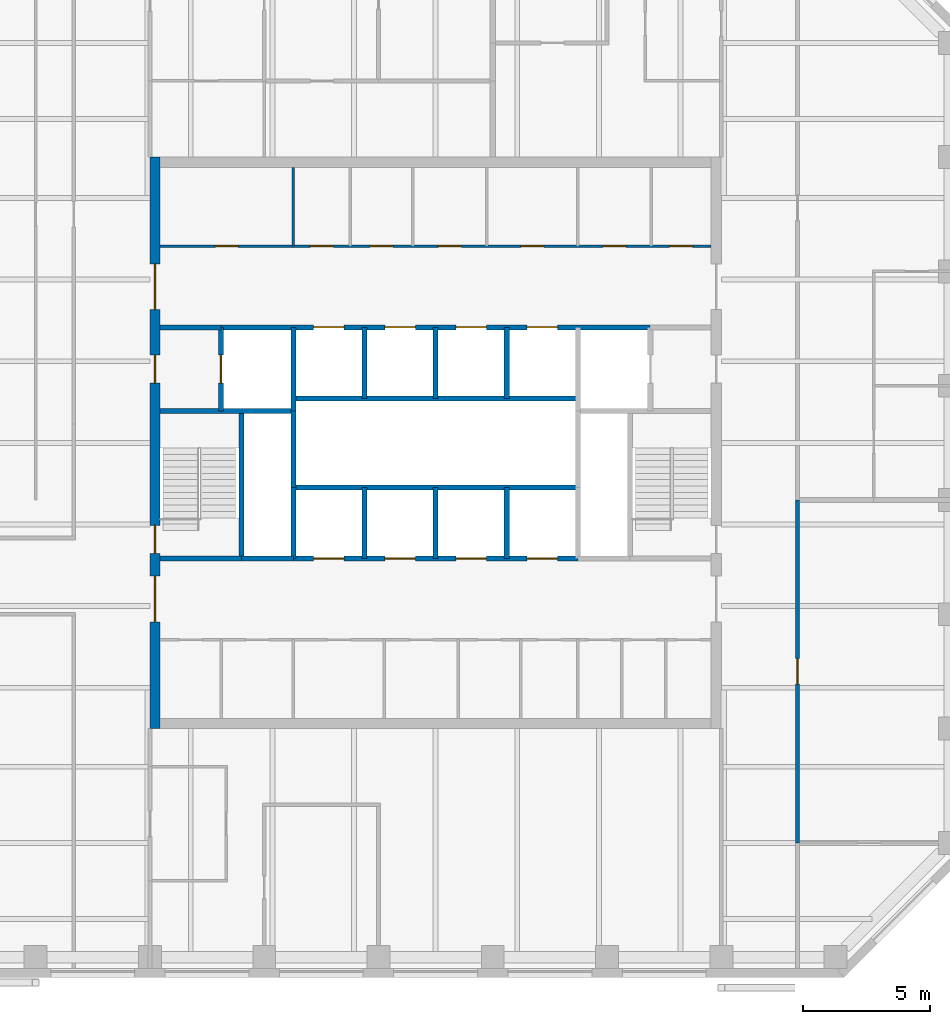
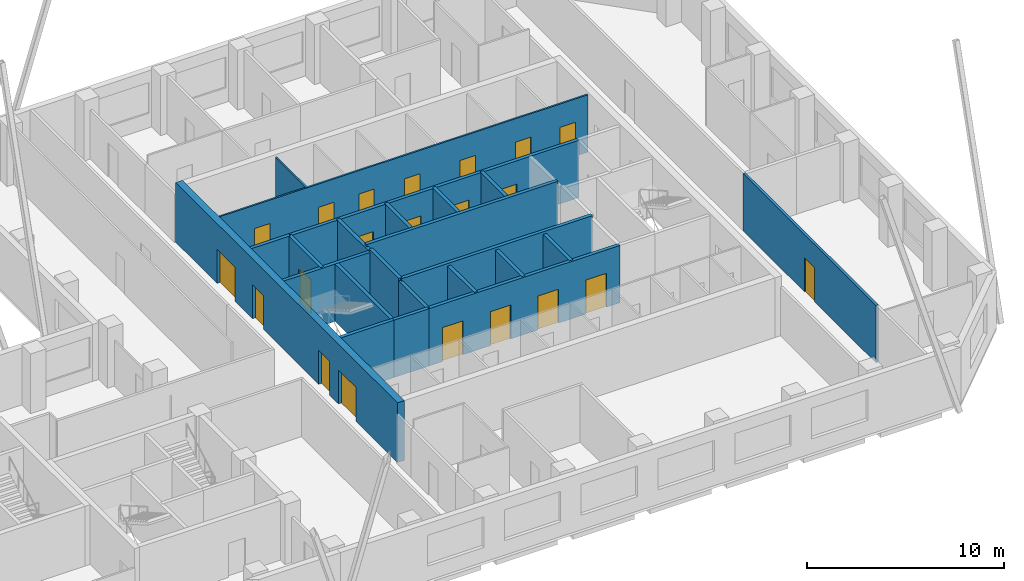
# One storey, part 5 of 9: 23 walls, 21 doors, 21 openings.
"""IFC4 building model written with IfcOpenShell, lengths in metres."""

from ifc_helpers import new_model, si_unit, direction, frame, frame_2d, origin, place, context, subcontext, project, spatial, rectangle, extrude, material, layer, layer_set, type_object, element, fill, save


model = new_model("IFC4")

# Units and contexts
model_context = context("Model", 3, precision=1e-05, world=origin(), true_north=direction((0.0, 1.0)))
body_context = subcontext(model_context, "Body", "Model", "MODEL_VIEW")
ifc_project = project(units=[si_unit("LENGTHUNIT", "METRE"), si_unit("AREAUNIT", "SQUARE_METRE"), si_unit("VOLUMEUNIT", "CUBIC_METRE"), si_unit("PLANEANGLEUNIT", "RADIAN"), si_unit("MASSUNIT", "GRAM", prefix="KILO")], contexts=[model_context])

# Site, building, storey
site_placement = place(None, origin())
site = spatial("IfcSite", under=ifc_project, at=site_placement, CompositionType="ELEMENT")
building_placement = place(site_placement, origin())
building = spatial("IfcBuilding", under=site, at=building_placement, Name="Quoin Convention Tower", CompositionType="ELEMENT")
storey_placement = place(building_placement, frame((0.0, 0.0, 158.800048828125)))
storey = spatial("IfcBuildingStorey", under=building, at=storey_placement, Name="L41", CompositionType="ELEMENT", Elevation=158.800048828125)

# Wall, openings, doors
ifc_material_1 = material(Name="Plasterboard")
ifc_layer_1 = layer(ifc_material_1, 0.012451171875, Name="Finish")
ifc_material_2 = material(Name="Steel stud framing", Category="steel")
ifc_layer_2 = layer(ifc_material_2, 0.074951171875, Name="Structure")
ifc_layer_3 = layer(ifc_material_1, 0.012451171875, Name="Finish")
ifc_layer_set_1 = layer_set([ifc_layer_1, ifc_layer_2, ifc_layer_3], Name="Steel stud framing")
wall_type_1 = type_object("IfcWallType", Name="Core partition wall", PredefinedType="PARTITIONING", material=ifc_layer_set_1)
wall_1_placement = place(storey_placement, frame((45.39990234375, 68.5, 0.0), z_axis=(0.0, 0.0, 1.0), x_axis=(1.0, 0.0, 0.0)))
wall_1 = element("IfcWall", 1, at=wall_1_placement, inside=storey, type_object=wall_type_1, Name="cr-C1-L41-h19000_400", PredefinedType="PARTITIONING", context=body_context, shape_type="SweptSolid", body=[
    extrude(rectangle(XDim=21.7001953125, YDim=0.10009765625, at=frame_2d((10.85009765625, 0.0))), origin(), (0.0, 0.0, 1.0), 3.550048828125),
])
opening_1_placement = place(wall_1_placement, frame((20.06884765625, 0.0, 0.0)))
opening_1 = element("IfcOpeningElement", 2, at=opening_1_placement, cuts=wall_1, Name="Opening DCV2-13", PredefinedType="OPENING", context=body_context, shape_type="SweptSolid", body=[
    extrude(rectangle(XDim=0.89990234375, YDim=2.10009765625, at=frame_2d((0.449951171875, 1.050048828125))), frame((0.0, 0.06005859375, 0.0), z_axis=(0.0, -1.0, 0.0), x_axis=(1.0, 0.0, 0.0)), (0.0, 0.0, 1.0), 0.1201171875),
])
opening_2_placement = place(wall_1_placement, frame((17.44384765625, 0.0, 0.0)))
opening_2 = element("IfcOpeningElement", 3, at=opening_2_placement, cuts=wall_1, Name="Opening DCV2-12", PredefinedType="OPENING", context=body_context, shape_type="SweptSolid", body=[
    extrude(rectangle(XDim=0.89990234375, YDim=2.10009765625, at=frame_2d((0.449951171875, 1.050048828125))), frame((0.0, 0.06005859375, 0.0), z_axis=(0.0, -1.0, 0.0), x_axis=(1.0, 0.0, 0.0)), (0.0, 0.0, 1.0), 0.1201171875),
])
opening_3_placement = place(wall_1_placement, frame((2.175048828125, 0.0, 0.0)))
opening_3 = element("IfcOpeningElement", 4, at=opening_3_placement, cuts=wall_1, Name="Opening DCV2-05", PredefinedType="OPENING", context=body_context, shape_type="SweptSolid", body=[
    extrude(rectangle(XDim=0.89990234375, YDim=2.10009765625, at=frame_2d((0.449951171875, 1.050048828125))), frame((0.0, 0.06005859375, 0.0), z_axis=(0.0, -1.0, 0.0), x_axis=(1.0, 0.0, 0.0)), (0.0, 0.0, 1.0), 0.1201171875),
])
opening_4_placement = place(wall_1_placement, frame((14.2080078125, 0.0, 0.0)))
opening_4 = element("IfcOpeningElement", 5, at=opening_4_placement, cuts=wall_1, Name="Opening DCV2-11", PredefinedType="OPENING", context=body_context, shape_type="SweptSolid", body=[
    extrude(rectangle(XDim=0.89990234375, YDim=2.10009765625, at=frame_2d((0.449951171875, 1.050048828125))), frame((0.0, 0.06005859375, 0.0), z_axis=(0.0, -1.0, 0.0), x_axis=(1.0, 0.0, 0.0)), (0.0, 0.0, 1.0), 0.1201171875),
])
opening_5_placement = place(wall_1_placement, frame((10.9599609375, 0.0, 0.0)))
opening_5 = element("IfcOpeningElement", 6, at=opening_5_placement, cuts=wall_1, Name="Opening DCV2-09", PredefinedType="OPENING", context=body_context, shape_type="SweptSolid", body=[
    extrude(rectangle(XDim=0.89990234375, YDim=2.10009765625, at=frame_2d((0.449951171875, 1.050048828125))), frame((0.0, 0.06005859375, 0.0), z_axis=(0.0, -1.0, 0.0), x_axis=(1.0, 0.0, 0.0)), (0.0, 0.0, 1.0), 0.1201171875),
])
opening_6_placement = place(wall_1_placement, frame((8.27197265625, 0.0, 0.0)))
opening_6 = element("IfcOpeningElement", 7, at=opening_6_placement, cuts=wall_1, Name="Opening DCV2-08", PredefinedType="OPENING", context=body_context, shape_type="SweptSolid", body=[
    extrude(rectangle(XDim=0.89990234375, YDim=2.10009765625, at=frame_2d((0.449951171875, 1.050048828125))), frame((0.0, 0.06005859375, 0.0), z_axis=(0.0, -1.0, 0.0), x_axis=(1.0, 0.0, 0.0)), (0.0, 0.0, 1.0), 0.1201171875),
])
opening_7_placement = place(wall_1_placement, frame((5.919921875, 0.0, 0.0)))
opening_7 = element("IfcOpeningElement", 8, at=opening_7_placement, cuts=wall_1, Name="Opening DCV2-06", PredefinedType="OPENING", context=body_context, shape_type="SweptSolid", body=[
    extrude(rectangle(XDim=0.89990234375, YDim=2.10009765625, at=frame_2d((0.449951171875, 1.050048828125))), frame((0.0, 0.06005859375, 0.0), z_axis=(0.0, -1.0, 0.0), x_axis=(1.0, 0.0, 0.0)), (0.0, 0.0, 1.0), 0.1201171875),
])
ifc_material_3 = material(Name="Steel door leaf", Category="steel")
door_type_1 = type_object("IfcDoorType", Name="Core room door 900 x 2100", OperationType="SINGLE_SWING_LEFT", PredefinedType="DOOR", material=ifc_material_3)
door_1_placement = place(opening_1_placement, origin())
door_1 = element("IfcDoor", 9, at=door_1_placement, inside=storey, type_object=door_type_1, Name="cd-C1-L41-CNE0-lobB-CD4107", OperationType="SINGLE_SWING_RIGHT", OverallHeight=2.10009765625, OverallWidth=0.89990234375, PredefinedType="DOOR", context=body_context, shape_type="SweptSolid", body=[
    extrude(rectangle(XDim=0.89990234375, YDim=2.10009765625, at=frame_2d((0.449951171875, 1.050048828125))), frame((0.0, 0.02490234375, 0.0), z_axis=(0.0, -1.0, 0.0), x_axis=(1.0, 0.0, 0.0)), (0.0, 0.0, 1.0), 0.050048828125),
])
fill(opening_1, door_1)
door_2_placement = place(opening_2_placement, origin())
door_2 = element("IfcDoor", 10, at=door_2_placement, inside=storey, type_object=door_type_1, Name="cd-C1-L41-CNE1-lobB-CD4108", OperationType="SINGLE_SWING_RIGHT", OverallHeight=2.10009765625, OverallWidth=0.89990234375, PredefinedType="DOOR", context=body_context, shape_type="SweptSolid", body=[
    extrude(rectangle(XDim=0.89990234375, YDim=2.10009765625, at=frame_2d((0.449951171875, 1.050048828125))), frame((0.0, 0.02490234375, 0.0), z_axis=(0.0, -1.0, 0.0), x_axis=(1.0, 0.0, 0.0)), (0.0, 0.0, 1.0), 0.050048828125),
])
fill(opening_2, door_2)
door_3_placement = place(opening_3_placement, origin())
door_3 = element("IfcDoor", 11, at=door_3_placement, inside=storey, type_object=door_type_1, Name="cd-C1-L41-CNW0-lobB-CD4109", OperationType="SINGLE_SWING_RIGHT", OverallHeight=2.10009765625, OverallWidth=0.89990234375, PredefinedType="DOOR", context=body_context, shape_type="SweptSolid", body=[
    extrude(rectangle(XDim=0.89990234375, YDim=2.10009765625, at=frame_2d((0.449951171875, 1.050048828125))), frame((0.0, 0.02490234375, 0.0), z_axis=(0.0, -1.0, 0.0), x_axis=(1.0, 0.0, 0.0)), (0.0, 0.0, 1.0), 0.050048828125),
])
fill(opening_3, door_3)
door_4_placement = place(opening_4_placement, origin())
door_4 = element("IfcDoor", 12, at=door_4_placement, inside=storey, type_object=door_type_1, Name="cd-C1-L41-F40-lobB-CD4119", OperationType="SINGLE_SWING_RIGHT", OverallHeight=2.10009765625, OverallWidth=0.89990234375, PredefinedType="DOOR", context=body_context, shape_type="SweptSolid", body=[
    extrude(rectangle(XDim=0.89990234375, YDim=2.10009765625, at=frame_2d((0.449951171875, 1.050048828125))), frame((0.0, 0.02490234375, 0.0), z_axis=(0.0, -1.0, 0.0), x_axis=(1.0, 0.0, 0.0)), (0.0, 0.0, 1.0), 0.050048828125),
])
fill(opening_4, door_4)
door_5_placement = place(opening_5_placement, origin())
door_5 = element("IfcDoor", 13, at=door_5_placement, inside=storey, type_object=door_type_1, Name="cd-C1-L41-F41-lobB-CD4120", OperationType="SINGLE_SWING_RIGHT", OverallHeight=2.10009765625, OverallWidth=0.89990234375, PredefinedType="DOOR", context=body_context, shape_type="SweptSolid", body=[
    extrude(rectangle(XDim=0.89990234375, YDim=2.10009765625, at=frame_2d((0.449951171875, 1.050048828125))), frame((0.0, 0.02490234375, 0.0), z_axis=(0.0, -1.0, 0.0), x_axis=(1.0, 0.0, 0.0)), (0.0, 0.0, 1.0), 0.050048828125),
])
fill(opening_5, door_5)
door_6_placement = place(opening_6_placement, origin())
door_6 = element("IfcDoor", 14, at=door_6_placement, inside=storey, type_object=door_type_1, Name="cd-C1-L41-F42-lobB-CD4121", OperationType="SINGLE_SWING_RIGHT", OverallHeight=2.10009765625, OverallWidth=0.89990234375, PredefinedType="DOOR", context=body_context, shape_type="SweptSolid", body=[
    extrude(rectangle(XDim=0.89990234375, YDim=2.10009765625, at=frame_2d((0.449951171875, 1.050048828125))), frame((0.0, 0.02490234375, 0.0), z_axis=(0.0, -1.0, 0.0), x_axis=(1.0, 0.0, 0.0)), (0.0, 0.0, 1.0), 0.050048828125),
])
fill(opening_6, door_6)
door_7_placement = place(opening_7_placement, origin())
door_7 = element("IfcDoor", 15, at=door_7_placement, inside=storey, type_object=door_type_1, Name="cd-C1-L41-F43-lobB-CD4122", OperationType="SINGLE_SWING_RIGHT", OverallHeight=2.10009765625, OverallWidth=0.89990234375, PredefinedType="DOOR", context=body_context, shape_type="SweptSolid", body=[
    extrude(rectangle(XDim=0.89990234375, YDim=2.10009765625, at=frame_2d((0.449951171875, 1.050048828125))), frame((0.0, 0.02490234375, 0.0), z_axis=(0.0, -1.0, 0.0), x_axis=(1.0, 0.0, 0.0)), (0.0, 0.0, 1.0), 0.050048828125),
])
fill(opening_7, door_7)

# Walls
wall_2_placement = place(storey_placement, frame((50.64990234375, 68.5, 0.0), z_axis=(0.0, 0.0, 1.0), x_axis=(0.0, 1.0, 0.0)))
element("IfcWall", 16, at=wall_2_placement, inside=storey, type_object=wall_type_1, Name="cr-C1-L41-v5650_19000", PredefinedType="PARTITIONING", context=body_context, shape_type="SweptSolid", body=[
    extrude(rectangle(XDim=3.10009765625, YDim=0.10009765625, at=frame_2d((1.550048828125, 0.0))), origin(), (0.0, 0.0, 1.0), 3.550048828125),
])
ifc_material_4 = material(Name="Concrete C50", Category="concrete")
ifc_layer_4 = layer(ifc_material_4, 0.199951171875)
ifc_layer_set_2 = layer_set([ifc_layer_4], Name="Concrete C50")
wall_type_2 = type_object("IfcWallType", Name="Core shaft wall", PredefinedType="SOLIDWALL", material=ifc_layer_set_2)
wall_3_placement = place(storey_placement, frame((48.60009765625, 56.199951171875, 0.0), z_axis=(0.0, 0.0, 1.0), x_axis=(1.0, 0.0, 0.0)))
element("IfcWall", 17, at=wall_3_placement, inside=storey, type_object=wall_type_2, Name="cr-C1-L41-h6700_3600", PredefinedType="SOLIDWALL", context=body_context, shape_type="SweptSolid", body=[
    extrude(rectangle(XDim=2.0498046875, YDim=0.199951171875, at=frame_2d((1.02490234375, 0.0))), origin(), (0.0, 0.0, 1.0), 3.550048828125),
])
wall_4_placement = place(storey_placement, frame((45.39990234375, 56.199951171875, 0.0), z_axis=(0.0, 0.0, 1.0), x_axis=(1.0, 0.0, 0.0)))
element("IfcWall", 18, at=wall_4_placement, inside=storey, type_object=wall_type_2, Name="cr-C1-L41-h6700_400", PredefinedType="SOLIDWALL", context=body_context, shape_type="SweptSolid", body=[
    extrude(rectangle(XDim=3.2001953125, YDim=0.199951171875, at=frame_2d((1.60009765625, 0.0))), origin(), (0.0, 0.0, 1.0), 3.550048828125),
])

# Wall, openings, doors
wall_5_placement = place(storey_placement, frame((50.64990234375, 56.199951171875, 0.0), z_axis=(0.0, 0.0, 1.0), x_axis=(1.0, 0.0, 0.0)))
wall_5 = element("IfcWall", 19, at=wall_5_placement, inside=storey, type_object=wall_type_2, Name="cr-C1-L41-h6700_5650", PredefinedType="SOLIDWALL", context=body_context, shape_type="SweptSolid", body=[
    extrude(rectangle(XDim=11.2001953125, YDim=0.199951171875, at=frame_2d((5.60009765625, 0.0))), origin(), (0.0, 0.0, 1.0), 3.550048828125),
])
opening_8_placement = place(wall_5_placement, frame((0.800048828125, 0.0, 0.0)))
opening_8 = element("IfcOpeningElement", 20, at=opening_8_placement, cuts=wall_5, Name="Opening LDH1", PredefinedType="OPENING", context=body_context, shape_type="SweptSolid", body=[
    extrude(rectangle(XDim=1.199951171875, YDim=2.10009765625, at=frame_2d((0.60009765625, 1.050048828125))), frame((0.0, 0.10986328125, 0.0), z_axis=(0.0, -1.0, 0.0), x_axis=(1.0, 0.0, 0.0)), (0.0, 0.0, 1.0), 0.219970703125),
])
opening_9_placement = place(wall_5_placement, frame((3.60009765625, 0.0, 0.0)))
opening_9 = element("IfcOpeningElement", 21, at=opening_9_placement, cuts=wall_5, Name="Opening LDH2", PredefinedType="OPENING", context=body_context, shape_type="SweptSolid", body=[
    extrude(rectangle(XDim=1.199951171875, YDim=2.10009765625, at=frame_2d((0.60009765625, 1.050048828125))), frame((0.0, 0.10986328125, 0.0), z_axis=(0.0, -1.0, 0.0), x_axis=(1.0, 0.0, 0.0)), (0.0, 0.0, 1.0), 0.219970703125),
])
opening_10_placement = place(wall_5_placement, frame((6.39990234375, 0.0, 0.0)))
opening_10 = element("IfcOpeningElement", 22, at=opening_10_placement, cuts=wall_5, Name="Opening LDH3", PredefinedType="OPENING", context=body_context, shape_type="SweptSolid", body=[
    extrude(rectangle(XDim=1.199951171875, YDim=2.10009765625, at=frame_2d((0.60009765625, 1.050048828125))), frame((0.0, 0.10986328125, 0.0), z_axis=(0.0, -1.0, 0.0), x_axis=(1.0, 0.0, 0.0)), (0.0, 0.0, 1.0), 0.219970703125),
])
opening_11_placement = place(wall_5_placement, frame((9.199951171875, 0.0, 0.0)))
opening_11 = element("IfcOpeningElement", 23, at=opening_11_placement, cuts=wall_5, Name="Opening LDH4", PredefinedType="OPENING", context=body_context, shape_type="SweptSolid", body=[
    extrude(rectangle(XDim=1.199951171875, YDim=2.10009765625, at=frame_2d((0.60009765625, 1.050048828125))), frame((0.0, 0.10986328125, 0.0), z_axis=(0.0, -1.0, 0.0), x_axis=(1.0, 0.0, 0.0)), (0.0, 0.0, 1.0), 0.219970703125),
])
door_type_2 = type_object("IfcDoorType", Name="Lift landing door 1200 x 2100", OperationType="DOUBLE_DOOR_SLIDING", PredefinedType="DOOR", material=ifc_material_3)
door_8_placement = place(opening_8_placement, origin())
door_8 = element("IfcDoor", 24, at=door_8_placement, inside=storey, type_object=door_type_2, Name="cd-C1-L41-R20-lobA-LDH1", OperationType="DOUBLE_DOOR_SLIDING", OverallHeight=2.10009765625, OverallWidth=1.199951171875, PredefinedType="DOOR", context=body_context, shape_type="SweptSolid", body=[
    extrude(rectangle(XDim=1.199951171875, YDim=2.10009765625, at=frame_2d((0.60009765625, 1.050048828125))), frame((0.0, 0.02490234375, 0.0), z_axis=(0.0, -1.0, 0.0), x_axis=(1.0, 0.0, 0.0)), (0.0, 0.0, 1.0), 0.050048828125),
])
fill(opening_8, door_8)
door_9_placement = place(opening_9_placement, origin())
door_9 = element("IfcDoor", 25, at=door_9_placement, inside=storey, type_object=door_type_2, Name="cd-C1-L41-R21-lobA-LDH2", OperationType="DOUBLE_DOOR_SLIDING", OverallHeight=2.10009765625, OverallWidth=1.199951171875, PredefinedType="DOOR", context=body_context, shape_type="SweptSolid", body=[
    extrude(rectangle(XDim=1.199951171875, YDim=2.10009765625, at=frame_2d((0.60009765625, 1.050048828125))), frame((0.0, 0.02490234375, 0.0), z_axis=(0.0, -1.0, 0.0), x_axis=(1.0, 0.0, 0.0)), (0.0, 0.0, 1.0), 0.050048828125),
])
fill(opening_9, door_9)
door_10_placement = place(opening_10_placement, origin())
door_10 = element("IfcDoor", 26, at=door_10_placement, inside=storey, type_object=door_type_2, Name="cd-C1-L41-R22-lobA-LDH3", OperationType="DOUBLE_DOOR_SLIDING", OverallHeight=2.10009765625, OverallWidth=1.199951171875, PredefinedType="DOOR", context=body_context, shape_type="SweptSolid", body=[
    extrude(rectangle(XDim=1.199951171875, YDim=2.10009765625, at=frame_2d((0.60009765625, 1.050048828125))), frame((0.0, 0.02490234375, 0.0), z_axis=(0.0, -1.0, 0.0), x_axis=(1.0, 0.0, 0.0)), (0.0, 0.0, 1.0), 0.050048828125),
])
fill(opening_10, door_10)
door_11_placement = place(opening_11_placement, origin())
door_11 = element("IfcDoor", 27, at=door_11_placement, inside=storey, type_object=door_type_2, Name="cd-C1-L41-R23-lobA-LDH4", OperationType="DOUBLE_DOOR_SLIDING", OverallHeight=2.10009765625, OverallWidth=1.199951171875, PredefinedType="DOOR", context=body_context, shape_type="SweptSolid", body=[
    extrude(rectangle(XDim=1.199951171875, YDim=2.10009765625, at=frame_2d((0.60009765625, 1.050048828125))), frame((0.0, 0.02490234375, 0.0), z_axis=(0.0, -1.0, 0.0), x_axis=(1.0, 0.0, 0.0)), (0.0, 0.0, 1.0), 0.050048828125),
])
fill(opening_11, door_11)

# Walls
wall_6_placement = place(storey_placement, frame((45.39990234375, 62.0, 0.0), z_axis=(0.0, 0.0, 1.0), x_axis=(1.0, 0.0, 0.0)))
element("IfcWall", 28, at=wall_6_placement, inside=storey, type_object=wall_type_2, Name="cr-C1-L41-h12500_400", PredefinedType="SOLIDWALL", context=body_context, shape_type="SweptSolid", body=[
    extrude(rectangle(XDim=5.25, YDim=0.199951171875, at=frame_2d((2.625, 0.0))), origin(), (0.0, 0.0, 1.0), 3.550048828125),
])
wall_7_placement = place(storey_placement, frame((45.39990234375, 65.300048828125, 0.0), z_axis=(0.0, 0.0, 1.0), x_axis=(1.0, 0.0, 0.0)))
element("IfcWall", 29, at=wall_7_placement, inside=storey, type_object=wall_type_2, Name="cr-C1-L41-h15800_400", PredefinedType="SOLIDWALL", context=body_context, shape_type="SweptSolid", body=[
    extrude(rectangle(XDim=2.400146484375, YDim=0.199951171875, at=frame_2d((1.2001953125, 0.0))), origin(), (0.0, 0.0, 1.0), 3.550048828125),
])

# Wall, openings, doors
wall_8_placement = place(storey_placement, frame((47.800048828125, 65.300048828125, 0.0), z_axis=(0.0, 0.0, 1.0), x_axis=(1.0, 0.0, 0.0)))
wall_8 = element("IfcWall", 30, at=wall_8_placement, inside=storey, type_object=wall_type_2, Name="cr-C1-L41-h15800_2800", PredefinedType="SOLIDWALL", context=body_context, shape_type="SweptSolid", body=[
    extrude(rectangle(XDim=16.89990234375, YDim=0.199951171875, at=frame_2d((8.449951171875, 0.0))), origin(), (0.0, 0.0, 1.0), 3.550048828125),
])
opening_12_placement = place(wall_8_placement, frame((3.64990234375, 0.0, 0.0)))
opening_12 = element("IfcOpeningElement", 31, at=opening_12_placement, cuts=wall_8, Name="Opening LDH5", PredefinedType="OPENING", context=body_context, shape_type="SweptSolid", body=[
    extrude(rectangle(XDim=1.199951171875, YDim=2.10009765625, at=frame_2d((0.60009765625, 1.050048828125))), frame((0.0, 0.10986328125, 0.0), z_axis=(0.0, -1.0, 0.0), x_axis=(1.0, 0.0, 0.0)), (0.0, 0.0, 1.0), 0.219970703125),
])
opening_13_placement = place(wall_8_placement, frame((6.449951171875, 0.0, 0.0)))
opening_13 = element("IfcOpeningElement", 32, at=opening_13_placement, cuts=wall_8, Name="Opening LDH6", PredefinedType="OPENING", context=body_context, shape_type="SweptSolid", body=[
    extrude(rectangle(XDim=1.199951171875, YDim=2.10009765625, at=frame_2d((0.60009765625, 1.050048828125))), frame((0.0, 0.10986328125, 0.0), z_axis=(0.0, -1.0, 0.0), x_axis=(1.0, 0.0, 0.0)), (0.0, 0.0, 1.0), 0.219970703125),
])
opening_14_placement = place(wall_8_placement, frame((9.25, 0.0, 0.0)))
opening_14 = element("IfcOpeningElement", 33, at=opening_14_placement, cuts=wall_8, Name="Opening LDH7", PredefinedType="OPENING", context=body_context, shape_type="SweptSolid", body=[
    extrude(rectangle(XDim=1.199951171875, YDim=2.10009765625, at=frame_2d((0.60009765625, 1.050048828125))), frame((0.0, 0.10986328125, 0.0), z_axis=(0.0, -1.0, 0.0), x_axis=(1.0, 0.0, 0.0)), (0.0, 0.0, 1.0), 0.219970703125),
])
opening_15_placement = place(wall_8_placement, frame((12.050048828125, 0.0, 0.0)))
opening_15 = element("IfcOpeningElement", 34, at=opening_15_placement, cuts=wall_8, Name="Opening LDH8", PredefinedType="OPENING", context=body_context, shape_type="SweptSolid", body=[
    extrude(rectangle(XDim=1.199951171875, YDim=2.10009765625, at=frame_2d((0.60009765625, 1.050048828125))), frame((0.0, 0.10986328125, 0.0), z_axis=(0.0, -1.0, 0.0), x_axis=(1.0, 0.0, 0.0)), (0.0, 0.0, 1.0), 0.219970703125),
])
door_12_placement = place(opening_12_placement, origin())
door_12 = element("IfcDoor", 35, at=door_12_placement, inside=storey, type_object=door_type_2, Name="cd-C1-L41-R30-lobB-LDH5", OperationType="DOUBLE_DOOR_SLIDING", OverallHeight=2.10009765625, OverallWidth=1.199951171875, PredefinedType="DOOR", context=body_context, shape_type="SweptSolid", body=[
    extrude(rectangle(XDim=1.199951171875, YDim=2.10009765625, at=frame_2d((0.60009765625, 1.050048828125))), frame((0.0, 0.02490234375, 0.0), z_axis=(0.0, -1.0, 0.0), x_axis=(1.0, 0.0, 0.0)), (0.0, 0.0, 1.0), 0.050048828125),
])
fill(opening_12, door_12)
door_13_placement = place(opening_13_placement, origin())
door_13 = element("IfcDoor", 36, at=door_13_placement, inside=storey, type_object=door_type_2, Name="cd-C1-L41-R31-lobB-LDH6", OperationType="DOUBLE_DOOR_SLIDING", OverallHeight=2.10009765625, OverallWidth=1.199951171875, PredefinedType="DOOR", context=body_context, shape_type="SweptSolid", body=[
    extrude(rectangle(XDim=1.199951171875, YDim=2.10009765625, at=frame_2d((0.60009765625, 1.050048828125))), frame((0.0, 0.02490234375, 0.0), z_axis=(0.0, -1.0, 0.0), x_axis=(1.0, 0.0, 0.0)), (0.0, 0.0, 1.0), 0.050048828125),
])
fill(opening_13, door_13)
door_14_placement = place(opening_14_placement, origin())
door_14 = element("IfcDoor", 37, at=door_14_placement, inside=storey, type_object=door_type_2, Name="cd-C1-L41-R32-lobB-LDH7", OperationType="DOUBLE_DOOR_SLIDING", OverallHeight=2.10009765625, OverallWidth=1.199951171875, PredefinedType="DOOR", context=body_context, shape_type="SweptSolid", body=[
    extrude(rectangle(XDim=1.199951171875, YDim=2.10009765625, at=frame_2d((0.60009765625, 1.050048828125))), frame((0.0, 0.02490234375, 0.0), z_axis=(0.0, -1.0, 0.0), x_axis=(1.0, 0.0, 0.0)), (0.0, 0.0, 1.0), 0.050048828125),
])
fill(opening_14, door_14)
door_15_placement = place(opening_15_placement, origin())
door_15 = element("IfcDoor", 38, at=door_15_placement, inside=storey, type_object=door_type_2, Name="cd-C1-L41-R33-lobB-LDH8", OperationType="DOUBLE_DOOR_SLIDING", OverallHeight=2.10009765625, OverallWidth=1.199951171875, PredefinedType="DOOR", context=body_context, shape_type="SweptSolid", body=[
    extrude(rectangle(XDim=1.199951171875, YDim=2.10009765625, at=frame_2d((0.60009765625, 1.050048828125))), frame((0.0, 0.02490234375, 0.0), z_axis=(0.0, -1.0, 0.0), x_axis=(1.0, 0.0, 0.0)), (0.0, 0.0, 1.0), 0.050048828125),
])
fill(opening_15, door_15)

# Wall, opening, door
wall_9_placement = place(storey_placement, frame((47.800048828125, 62.0, 0.0), z_axis=(0.0, 0.0, 1.0), x_axis=(0.0, 1.0, 0.0)))
wall_9 = element("IfcWall", 39, at=wall_9_placement, inside=storey, type_object=wall_type_2, Name="cr-C1-L41-v2800_12500", PredefinedType="SOLIDWALL", context=body_context, shape_type="SweptSolid", body=[
    extrude(rectangle(XDim=3.300048828125, YDim=0.199951171875, at=frame_2d((1.64990234375, 0.0))), origin(), (0.0, 0.0, 1.0), 3.550048828125),
])
opening_16_placement = place(wall_9_placement, frame((1.10009765625, 0.0, 0.0)))
opening_16 = element("IfcOpeningElement", 40, at=opening_16_placement, cuts=wall_9, Name="Opening LDFL1", PredefinedType="OPENING", context=body_context, shape_type="SweptSolid", body=[
    extrude(rectangle(XDim=1.10009765625, YDim=2.10009765625, at=frame_2d((0.550048828125, 1.050048828125))), frame((0.0, 0.10986328125, 0.0), z_axis=(0.0, -1.0, 0.0), x_axis=(1.0, 0.0, 0.0)), (0.0, 0.0, 1.0), 0.219970703125),
])
door_type_3 = type_object("IfcDoorType", Name="Lift landing door 1100 x 2100", OperationType="DOUBLE_DOOR_SLIDING", PredefinedType="DOOR", material=ifc_material_3)
door_16_placement = place(opening_16_placement, origin())
door_16 = element("IfcDoor", 41, at=door_16_placement, inside=storey, type_object=door_type_3, Name="cd-C1-L41-FLW-FFW-LDFL1", OperationType="DOUBLE_DOOR_SLIDING", OverallHeight=2.10009765625, OverallWidth=1.10009765625, PredefinedType="DOOR", context=body_context, shape_type="SweptSolid", body=[
    extrude(rectangle(XDim=1.10009765625, YDim=2.10009765625, at=frame_2d((0.550048828125, 1.050048828125))), frame((0.0, 0.02490234375, 0.0), z_axis=(0.0, -1.0, 0.0), x_axis=(1.0, 0.0, 0.0)), (0.0, 0.0, 1.0), 0.050048828125),
])
fill(opening_16, door_16)

# Walls
wall_10_placement = place(storey_placement, frame((48.60009765625, 56.199951171875, 0.0), z_axis=(0.0, 0.0, 1.0), x_axis=(0.0, 1.0, 0.0)))
element("IfcWall", 42, at=wall_10_placement, inside=storey, type_object=wall_type_2, Name="cr-C1-L41-v3600_6700", PredefinedType="SOLIDWALL", context=body_context, shape_type="SweptSolid", body=[
    extrude(rectangle(XDim=5.800048828125, YDim=0.199951171875, at=frame_2d((2.89990234375, 0.0))), origin(), (0.0, 0.0, 1.0), 3.550048828125),
])
wall_11_placement = place(storey_placement, frame((50.64990234375, 56.199951171875, 0.0), z_axis=(0.0, 0.0, 1.0), x_axis=(0.0, 1.0, 0.0)))
element("IfcWall", 43, at=wall_11_placement, inside=storey, type_object=wall_type_2, Name="cr-C1-L41-v5650_6700", PredefinedType="SOLIDWALL", context=body_context, shape_type="SweptSolid", body=[
    extrude(rectangle(XDim=2.800048828125, YDim=0.199951171875, at=frame_2d((1.39990234375, 0.0))), origin(), (0.0, 0.0, 1.0), 3.550048828125),
])
wall_12_placement = place(storey_placement, frame((50.64990234375, 62.0, 0.0), z_axis=(0.0, 0.0, 1.0), x_axis=(0.0, 1.0, 0.0)))
element("IfcWall", 44, at=wall_12_placement, inside=storey, type_object=wall_type_2, Name="cr-C1-L41-v5650_12500", PredefinedType="SOLIDWALL", context=body_context, shape_type="SweptSolid", body=[
    extrude(rectangle(XDim=3.300048828125, YDim=0.199951171875, at=frame_2d((1.64990234375, 0.0))), origin(), (0.0, 0.0, 1.0), 3.550048828125),
])
for number, where, z_axis, x_axis, name in (
    (45, (53.449951171875, 56.199951171875, 0.0), (0.0, 0.0, 1.0), (0.0, 1.0, 0.0), "cr-C1-L41-v8450_6700"),
    (46, (53.449951171875, 62.5, 0.0), (0.0, 0.0, 1.0), (0.0, 1.0, 0.0), "cr-C1-L41-v8450_13000"),
    (47, (56.25, 56.199951171875, 0.0), (0.0, 0.0, 1.0), (0.0, 1.0, 0.0), "cr-C1-L41-v11250_6700"),
    (48, (56.25, 62.5, 0.0), (0.0, 0.0, 1.0), (0.0, 1.0, 0.0), "cr-C1-L41-v11250_13000"),
    (49, (59.050048828125, 56.199951171875, 0.0), (0.0, 0.0, 1.0), (0.0, 1.0, 0.0), "cr-C1-L41-v14050_6700"),
    (50, (59.050048828125, 62.5, 0.0), (0.0, 0.0, 1.0), (0.0, 1.0, 0.0), "cr-C1-L41-v14050_13000"),
):
    element("IfcWall", number, at=place(storey_placement, frame(where, z_axis=z_axis, x_axis=x_axis)), inside=storey, type_object=wall_type_2, Name=name, PredefinedType="SOLIDWALL", context=body_context, shape_type="SweptSolid", body=[
        extrude(rectangle(XDim=2.800048828125, YDim=0.199951171875, at=frame_2d((1.39990234375, 0.0))), origin(), (0.0, 0.0, 1.0), 3.550048828125),
    ])
ifc_layer_5 = layer(ifc_material_4, 0.199951171875)
ifc_layer_set_3 = layer_set([ifc_layer_5], Name="Concrete C50")
wall_type_3 = type_object("IfcWallType", Name="Core shaft wall to the floor level over", PredefinedType="SOLIDWALL", material=ifc_layer_set_3)
for number, where, z_axis, x_axis, name in (
    (51, (50.64990234375, 59.0, 0.0), (0.0, 0.0, 1.0), (1.0, 0.0, 0.0), "cr-C1-L41-h9500_5650"),
    (52, (50.64990234375, 62.5, 0.0), (0.0, 0.0, 1.0), (1.0, 0.0, 0.0), "cr-C1-L41-h13000_5650"),
):
    element("IfcWall", number, at=place(storey_placement, frame(where, z_axis=z_axis, x_axis=x_axis)), inside=storey, type_object=wall_type_3, Name=name, PredefinedType="SOLIDWALL", context=body_context, shape_type="SweptSolid", body=[
        extrude(rectangle(XDim=11.2001953125, YDim=0.199951171875, at=frame_2d((5.60009765625, 0.0))), origin(), (0.0, 0.0, 1.0), 3.699951171875),
    ])
wall_13_placement = place(storey_placement, frame((50.64990234375, 59.0, 0.0), z_axis=(0.0, 0.0, 1.0), x_axis=(0.0, 1.0, 0.0)))
element("IfcWall", 53, at=wall_13_placement, inside=storey, type_object=wall_type_3, Name="cr-C1-L41-v5650_9500", PredefinedType="SOLIDWALL", context=body_context, shape_type="SweptSolid", body=[
    extrude(rectangle(XDim=3.0, YDim=0.199951171875, at=frame_2d((1.5, 0.0))), origin(), (0.0, 0.0, 1.0), 3.699951171875),
])

# Wall, opening, door
ifc_layer_6 = layer(ifc_material_1, 0.012451171875, Name="Finish")
ifc_layer_7 = layer(ifc_material_2, 0.125, Name="Structure")
ifc_layer_8 = layer(ifc_material_1, 0.012451171875, Name="Finish")
ifc_layer_set_4 = layer_set([ifc_layer_6, ifc_layer_7, ifc_layer_8], Name="Steel stud framing")
wall_type_4 = type_object("IfcWallType", Name="Corridor wall 150", PredefinedType="PARTITIONING", material=ifc_layer_set_4)
wall_14_placement = place(storey_placement, frame((70.5, 45.0, 0.0), z_axis=(0.0, 0.0, 1.0), x_axis=(0.0, 1.0, 0.0)))
wall_14 = element("IfcWall", 54, at=wall_14_placement, inside=storey, type_object=wall_type_4, Name="pw-L41-040", PredefinedType="PARTITIONING", context=body_context, shape_type="SweptSolid", body=[
    extrude(rectangle(XDim=13.5, YDim=0.14990234375, at=frame_2d((6.75, 0.0))), origin(), (0.0, 0.0, 1.0), 3.550048828125),
])
opening_17_placement = place(wall_14_placement, frame((6.25, 0.0, 0.0)))
opening_17 = element("IfcOpeningElement", 55, at=opening_17_placement, cuts=wall_14, Name="Opening DOH2-10", PredefinedType="OPENING", context=body_context, shape_type="SweptSolid", body=[
    extrude(rectangle(XDim=1.0, YDim=2.10009765625, at=frame_2d((0.5, 1.050048828125))), frame((0.0, 0.0849609375, 0.0), z_axis=(0.0, -1.0, 0.0), x_axis=(1.0, 0.0, 0.0)), (0.0, 0.0, 1.0), 0.169921875),
])
door_type_4 = type_object("IfcDoorType", Name="Tenancy entrance door 1000 x 2100", OperationType="DOUBLE_DOOR_SINGLE_SWING", PredefinedType="DOOR", material=ifc_material_3)
door_17_placement = place(opening_17_placement, frame((1.0, 0.0, 0.0), z_axis=(0.0, 0.0, 1.0), x_axis=(-1.0, 0.0, 0.0)))
door_17 = element("IfcDoor", 56, at=door_17_placement, inside=storey, type_object=door_type_4, Name="dr-L41-24", OperationType="DOUBLE_DOOR_SINGLE_SWING", OverallHeight=2.10009765625, OverallWidth=1.0, PredefinedType="DOOR", context=body_context, shape_type="SweptSolid", body=[
    extrude(rectangle(XDim=1.0, YDim=2.10009765625, at=frame_2d((0.5, 1.050048828125))), frame((0.0, 0.02490234375, 0.0), z_axis=(0.0, -1.0, 0.0), x_axis=(1.0, 0.0, 0.0)), (0.0, 0.0, 1.0), 0.050048828125),
])
fill(opening_17, door_17)

# Wall, openings, doors
ifc_layer_9 = layer(ifc_material_4, 0.39990234375)
ifc_layer_set_5 = layer_set([ifc_layer_9], Name="Concrete C50")
wall_type_5 = type_object("IfcWallType", Name="RC CORE WALL 400 C50", PredefinedType="SHEAR", material=ifc_layer_set_5)
wall_15_placement = place(storey_placement, frame((45.199951171875, 49.5, 0.0), z_axis=(0.0, 0.0, 1.0), x_axis=(0.0, 1.0, 0.0)))
wall_15 = element("IfcWall", 57, at=wall_15_placement, inside=storey, type_object=wall_type_5, Name="cwl-C1-L41-W", PredefinedType="SHEAR", context=body_context, shape_type="SweptSolid", body=[
    extrude(rectangle(XDim=22.5, YDim=0.39990234375, at=frame_2d((11.25, 0.0))), origin(), (0.0, 0.0, 1.0), 3.699951171875),
])
opening_18_placement = place(wall_15_placement, frame((4.199951171875, 0.0, 0.0)))
opening_18 = element("IfcOpeningElement", 58, at=opening_18_placement, cuts=wall_15, Name="Opening DCV2-40", PredefinedType="OPENING", context=body_context, shape_type="SweptSolid", body=[
    extrude(rectangle(XDim=1.800048828125, YDim=2.10009765625, at=frame_2d((0.89990234375, 1.050048828125))), frame((0.0, 0.2099609375, 0.0), z_axis=(0.0, -1.0, 0.0), x_axis=(1.0, 0.0, 0.0)), (0.0, 0.0, 1.0), 0.419921875),
])
opening_19_placement = place(wall_15_placement, frame((6.89990234375, 0.0, 0.0)))
opening_19 = element("IfcOpeningElement", 59, at=opening_19_placement, cuts=wall_15, Name="Opening SD1", PredefinedType="OPENING", context=body_context, shape_type="SweptSolid", body=[
    extrude(rectangle(XDim=1.10009765625, YDim=2.10009765625, at=frame_2d((0.550048828125, 1.050048828125))), frame((0.0, 0.2099609375, 0.0), z_axis=(0.0, -1.0, 0.0), x_axis=(1.0, 0.0, 0.0)), (0.0, 0.0, 1.0), 0.419921875),
])
opening_20_placement = place(wall_15_placement, frame((13.60009765625, 0.0, 0.0)))
opening_20 = element("IfcOpeningElement", 60, at=opening_20_placement, cuts=wall_15, Name="Opening DCV2-39", PredefinedType="OPENING", context=body_context, shape_type="SweptSolid", body=[
    extrude(rectangle(XDim=1.10009765625, YDim=2.10009765625, at=frame_2d((0.550048828125, 1.050048828125))), frame((0.0, 0.2099609375, 0.0), z_axis=(0.0, -1.0, 0.0), x_axis=(1.0, 0.0, 0.0)), (0.0, 0.0, 1.0), 0.419921875),
])
opening_21_placement = place(wall_15_placement, frame((16.5, 0.0, 0.0)))
opening_21 = element("IfcOpeningElement", 61, at=opening_21_placement, cuts=wall_15, Name="Opening DCV2-40", PredefinedType="OPENING", context=body_context, shape_type="SweptSolid", body=[
    extrude(rectangle(XDim=1.800048828125, YDim=2.10009765625, at=frame_2d((0.89990234375, 1.050048828125))), frame((0.0, 0.2099609375, 0.0), z_axis=(0.0, -1.0, 0.0), x_axis=(1.0, 0.0, 0.0)), (0.0, 0.0, 1.0), 0.419921875),
])
door_type_5 = type_object("IfcDoorType", Name="Fire-fighting lobby door 1100 x 2100", OperationType="SINGLE_SWING_LEFT", PredefinedType="DOOR", material=ifc_material_3)
door_18_placement = place(opening_20_placement, frame((1.10009765625, 0.0, 0.0), z_axis=(0.0, 0.0, 1.0), x_axis=(-1.0, 0.0, 0.0)))
door_18 = element("IfcDoor", 62, at=door_18_placement, inside=storey, type_object=door_type_5, Name="cd-C1-L41-FFW-W", OperationType="SINGLE_SWING_LEFT", OverallHeight=2.10009765625, OverallWidth=1.10009765625, PredefinedType="DOOR", context=body_context, shape_type="SweptSolid", body=[
    extrude(rectangle(XDim=1.10009765625, YDim=2.10009765625, at=frame_2d((0.550048828125, 1.050048828125))), frame((0.0, 0.02490234375, 0.0), z_axis=(0.0, -1.0, 0.0), x_axis=(1.0, 0.0, 0.0)), (0.0, 0.0, 1.0), 0.050048828125),
])
fill(opening_20, door_18)
door_type_6 = type_object("IfcDoorType", Name="Lift lobby door 1800 x 2100", OperationType="SINGLE_SWING_LEFT", PredefinedType="DOOR", material=ifc_material_3)
door_19_placement = place(opening_18_placement, frame((1.800048828125, 0.0, 0.0), z_axis=(0.0, 0.0, 1.0), x_axis=(-1.0, 0.0, 0.0)))
door_19 = element("IfcDoor", 63, at=door_19_placement, inside=storey, type_object=door_type_6, Name="cd-C1-L41-lobA-W", OperationType="SINGLE_SWING_LEFT", OverallHeight=2.10009765625, OverallWidth=1.800048828125, PredefinedType="DOOR", context=body_context, shape_type="SweptSolid", body=[
    extrude(rectangle(XDim=1.800048828125, YDim=2.10009765625, at=frame_2d((0.89990234375, 1.050048828125))), frame((0.0, 0.02490234375, 0.0), z_axis=(0.0, -1.0, 0.0), x_axis=(1.0, 0.0, 0.0)), (0.0, 0.0, 1.0), 0.050048828125),
])
fill(opening_18, door_19)
door_20_placement = place(opening_21_placement, frame((1.800048828125, 0.0, 0.0), z_axis=(0.0, 0.0, 1.0), x_axis=(-1.0, 0.0, 0.0)))
door_20 = element("IfcDoor", 64, at=door_20_placement, inside=storey, type_object=door_type_6, Name="cd-C1-L41-lobB-W", OperationType="SINGLE_SWING_LEFT", OverallHeight=2.10009765625, OverallWidth=1.800048828125, PredefinedType="DOOR", context=body_context, shape_type="SweptSolid", body=[
    extrude(rectangle(XDim=1.800048828125, YDim=2.10009765625, at=frame_2d((0.89990234375, 1.050048828125))), frame((0.0, 0.02490234375, 0.0), z_axis=(0.0, -1.0, 0.0), x_axis=(1.0, 0.0, 0.0)), (0.0, 0.0, 1.0), 0.050048828125),
])
fill(opening_21, door_20)
door_type_7 = type_object("IfcDoorType", Name="Stair door 1100 x 2100", OperationType="SINGLE_SWING_RIGHT", PredefinedType="DOOR", material=ifc_material_3)
door_21_placement = place(opening_19_placement, frame((1.10009765625, 0.0, 0.0), z_axis=(0.0, 0.0, 1.0), x_axis=(-1.0, 0.0, 0.0)))
door_21 = element("IfcDoor", 65, at=door_21_placement, inside=storey, type_object=door_type_7, Name="cd-C1-L41-STW-W", OperationType="SINGLE_SWING_RIGHT", OverallHeight=2.10009765625, OverallWidth=1.10009765625, PredefinedType="DOOR", context=body_context, shape_type="SweptSolid", body=[
    extrude(rectangle(XDim=1.10009765625, YDim=2.10009765625, at=frame_2d((0.550048828125, 1.050048828125))), frame((0.0, 0.02490234375, 0.0), z_axis=(0.0, -1.0, 0.0), x_axis=(1.0, 0.0, 0.0)), (0.0, 0.0, 1.0), 0.050048828125),
])
fill(opening_19, door_21)

save(model, "model.ifc")
